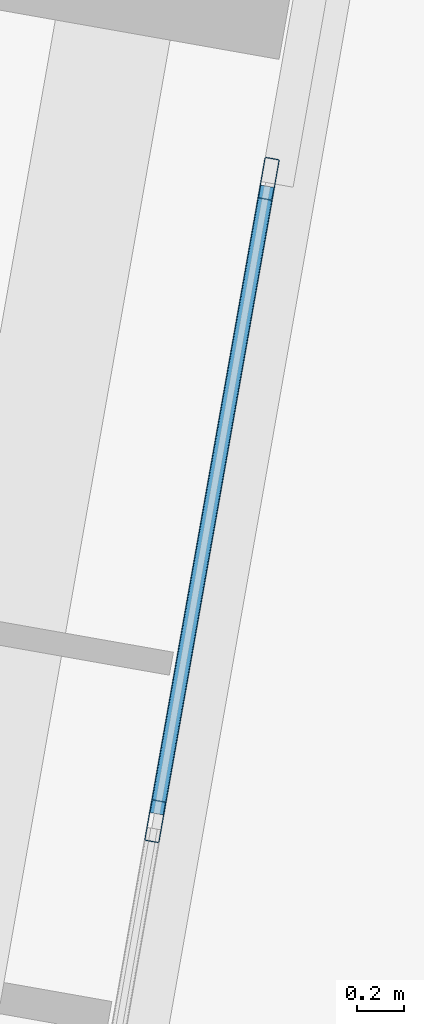
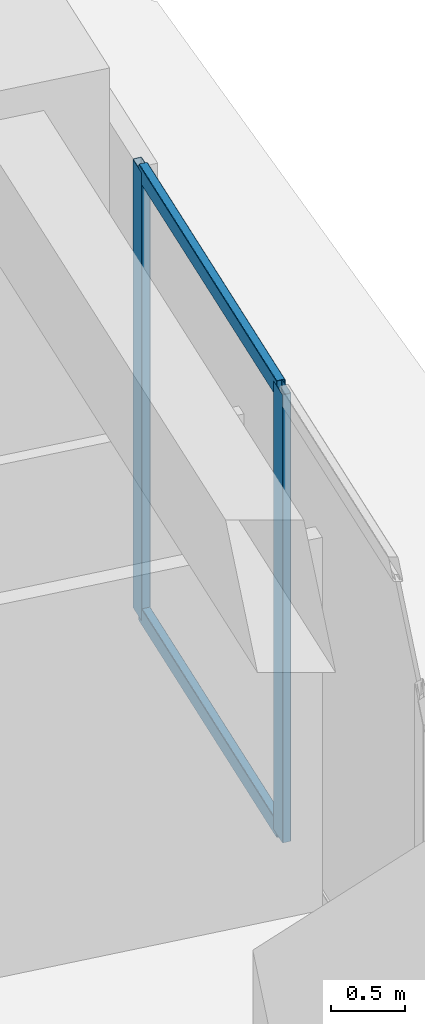
# One storey, part 11 of 24: 4 members, 1 element without a shape of its own.
"""IFC4 building model written with IfcOpenShell, lengths in metres."""

from ifc_helpers import new_model, si_unit, direction, frame, origin, origin_2d, place, context, subcontext, project, spatial, hollow_rectangle, extrude, source, transform, mapped, material, material_profile, profile_set, type_object, element, aggregate, save


model = new_model("IFC4")

# Units and contexts
model_context = context("Model", 3, precision=1e-05, world=origin(), true_north=direction((0.0, 1.0)))
body_context = subcontext(model_context, "Body", "Model", "MODEL_VIEW")
ifc_project = project(units=[si_unit("LENGTHUNIT", "METRE"), si_unit("AREAUNIT", "SQUARE_METRE"), si_unit("VOLUMEUNIT", "CUBIC_METRE"), si_unit("PLANEANGLEUNIT", "RADIAN"), si_unit("MASSUNIT", "GRAM", prefix="KILO")], contexts=[model_context])

# Site, building, storey
site_placement = place(None, origin())
site = spatial("IfcSite", under=ifc_project, at=site_placement, CompositionType="ELEMENT")
building_placement = place(site_placement, origin())
building = spatial("IfcBuilding", under=site, at=building_placement, Name="Torre Montelarca", CompositionType="ELEMENT")
storey_placement = place(building_placement, frame((0.0, 0.0, 74.800048828125)))
storey = spatial("IfcBuildingStorey", under=building, at=storey_placement, Name="L16", CompositionType="ELEMENT", Elevation=74.800048828125)

# Curtain wall, members
ifc_material_1 = material(Name="Insulated low-E laminated glass", Category="glass")
curtain_wall_type = type_object("IfcCurtainWallType", Name="CW-SYS-Z1", PredefinedType="USERDEFINED", material=ifc_material_1)
curtain_wall_placement = place(storey_placement, origin())
curtain_wall = element("IfcCurtainWall", 1, at=curtain_wall_placement, inside=storey, type_object=curtain_wall_type, Name="L16 Curtain Wall Run CW-T3-L16-E06-B2", ObjectType="UNITISED GLAZING", PredefinedType="USERDEFINED")
ifc_material_2 = material(Name="Anodised aluminium AA 6063-T6", Category="aluminium")
ifc_material_profile_1 = material_profile(ifc_material_2, hollow_rectangle(XDim=0.06494140625, YDim=0.139892578125, WallThickness=0.00390625, InnerFilletRadius=0.00390625, OuterFilletRadius=0.008056640625, at=origin_2d()), Name="ALU65X140X4", Category="aluminium")
ifc_profile_set_1 = profile_set([ifc_material_profile_1], Name="Anodised aluminium AA 6063-T6")
member_type_1 = type_object("IfcMemberType", Name="CWT-ALU140", PredefinedType="USERDEFINED", material=ifc_profile_set_1)
shared_shape_1 = source(origin(), body_context, "Body", "SweptSolid", [
    extrude(hollow_rectangle(XDim=0.06494140625, YDim=0.139892578125, WallThickness=0.00390625, InnerFilletRadius=0.00390625, OuterFilletRadius=0.008056640625, at=origin_2d()), origin(), (0.0, 0.0, 1.0), 2.735107421875),
])
member_1_placement = place(storey_placement, frame((60.8671875, 29.114990234375, 0.032470703125), z_axis=(0.17361220127, 0.984814095944, 0.0), x_axis=(-0.984814095944, 0.17361220127, 0.0)))
member_1 = element("IfcMember", 2, at=member_1_placement, type_object=member_type_1, Name="CW transom 2.1", ObjectType="TRANSOM", PredefinedType="USERDEFINED", context=body_context, shape_type="MappedRepresentation", body=[
    mapped(shared_shape_1, transform((0.0, 0.0, 0.0), scale=1.0)),
])
member_2_placement = place(storey_placement, frame((60.8671875, 29.114990234375, 3.6875), z_axis=(0.17361220127, 0.984814095944, 0.0), x_axis=(-0.984814095944, 0.17361220127, 0.0)))
member_2 = element("IfcMember", 3, at=member_2_placement, type_object=member_type_1, Name="CW transom 2.2", ObjectType="TRANSOM", PredefinedType="USERDEFINED", context=body_context, shape_type="MappedRepresentation", body=[
    mapped(shared_shape_1, transform((0.0, 0.0, 0.0), scale=1.0)),
])
ifc_material_profile_2 = material_profile(ifc_material_2, hollow_rectangle(XDim=0.06494140625, YDim=0.179931640625, WallThickness=0.00390625, InnerFilletRadius=0.00390625, OuterFilletRadius=0.008056640625, at=origin_2d()), Name="ALU65X180X4", Category="aluminium")
ifc_profile_set_2 = profile_set([ifc_material_profile_2], Name="Anodised aluminium AA 6063-T6")
member_type_2 = type_object("IfcMemberType", Name="CWM-ALU180", PredefinedType="MULLION", material=ifc_profile_set_2)
shared_shape_2 = source(origin(), body_context, "Body", "SweptSolid", [
    extrude(hollow_rectangle(XDim=0.06494140625, YDim=0.179931640625, WallThickness=0.00390625, InnerFilletRadius=0.00390625, OuterFilletRadius=0.008056640625, at=origin_2d()), origin(), (0.0, 0.0, 1.0), 3.719970703125),
])
member_3_placement = place(storey_placement, frame((60.861328125, 29.0830078125, 0.0), z_axis=(0.0, 0.0, 1.0), x_axis=(-0.984808605033, 0.173643345546, 0.0)))
member_3 = element("IfcMember", 4, at=member_3_placement, type_object=member_type_2, Name="CW mullion 2", PredefinedType="MULLION", context=body_context, shape_type="MappedRepresentation", body=[
    mapped(shared_shape_2, transform((0.0, 0.0, 0.0), scale=1.0)),
])
member_4_placement = place(storey_placement, frame((61.34765625, 31.840576171875, 0.0), z_axis=(0.0, 0.0, 1.0), x_axis=(-0.984808605033, 0.173643345546, 0.0)))
member_4 = element("IfcMember", 5, at=member_4_placement, type_object=member_type_2, Name="CW mullion 3", PredefinedType="MULLION", context=body_context, shape_type="MappedRepresentation", body=[
    mapped(shared_shape_2, transform((0.0, 0.0, 0.0), scale=1.0)),
])
aggregate(curtain_wall, [member_3, member_4, member_1, member_2])

save(model, "model.ifc")
